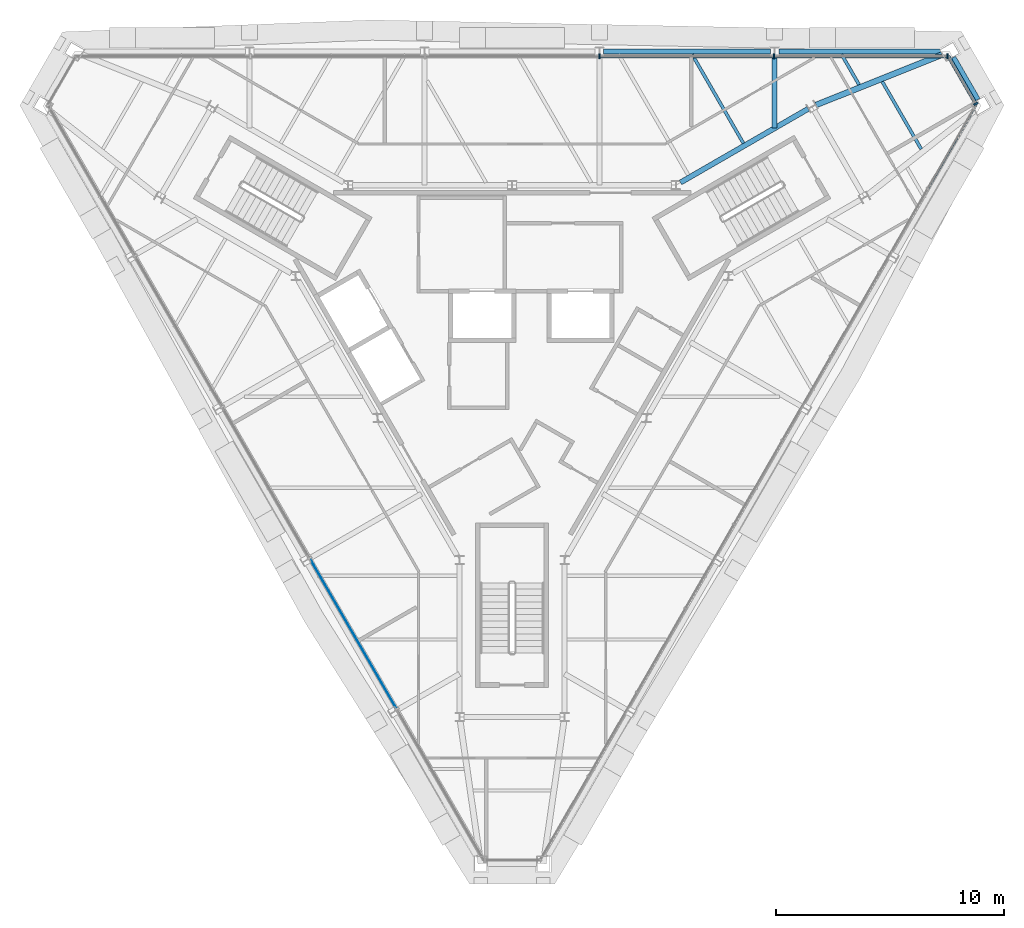
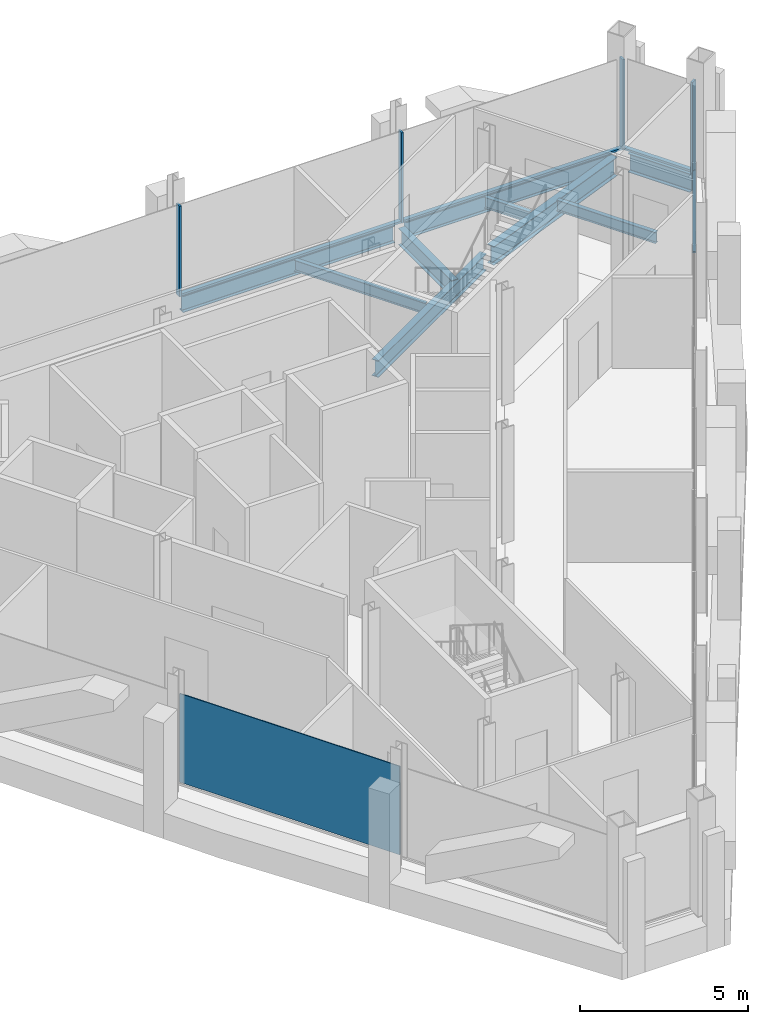
# One storey, part 7 of 13: 9 beams, 8 members, 1 plate, 4 elements without a shape of their own.
"""IFC4 building model written with IfcOpenShell, lengths in metres."""

from ifc_helpers import new_model, si_unit, direction, frame, origin, origin_2d, place, context, subcontext, project, spatial, rectangle, i_section, extrude, material, layer, layer_set, material_profile, profile_set, type_object, element, aggregate, save


model = new_model("IFC4")

# Units and contexts
model_context = context("Model", 3, precision=1e-05, world=origin(), true_north=direction((0.0, 1.0)))
body_context = subcontext(model_context, "Body", "Model", "MODEL_VIEW")
ifc_project = project(units=[si_unit("LENGTHUNIT", "METRE"), si_unit("AREAUNIT", "SQUARE_METRE"), si_unit("VOLUMEUNIT", "CUBIC_METRE"), si_unit("PLANEANGLEUNIT", "RADIAN"), si_unit("MASSUNIT", "GRAM", prefix="KILO")], contexts=[model_context])

# Site, building, storey
site_placement = place(None, origin())
site = spatial("IfcSite", under=ifc_project, at=site_placement, CompositionType="ELEMENT")
building_placement = place(site_placement, origin())
building = spatial("IfcBuilding", under=site, at=building_placement, Name="Verrane Prism Tower", CompositionType="ELEMENT")
storey_placement = place(building_placement, frame((0.0, 0.0, 316.800048828125)))
storey = spatial("IfcBuildingStorey", under=building, at=storey_placement, Name="L80", CompositionType="ELEMENT", Elevation=316.800048828125)

# Beams
ifc_material_1 = material(Name="Steel A992", Category="steel")
ifc_material_profile_1 = material_profile(ifc_material_1, i_section(OverallWidth=0.25390625, OverallDepth=0.683349609375, WebThickness=0.012451171875, FlangeThickness=0.01904296875, FilletRadius=0.01513671875, at=origin_2d()), Name="W27x94")
ifc_profile_set_1 = profile_set([ifc_material_profile_1], Name="Steel A992")
beam_type_1 = type_object("IfcBeamType", Name="Chamfer spandrel beam W27x94", PredefinedType="SPANDREL", material=ifc_profile_set_1)
beam_1_placement = place(storey_placement, frame((20.389892578125, 10.539794921875, -0.501708984375), z_axis=(-0.500486898547, 0.865744110221, 0.0), x_axis=(-0.865744110221, -0.500486898547, 0.0)))
element("IfcBeam", 1, at=beam_1_placement, inside=storey, type_object=beam_type_1, Name="Chamfer spandrel beam L80", PredefinedType="SPANDREL", context=body_context, shape_type="SweptSolid", body=[
    extrude(i_section(OverallWidth=0.25390625, OverallDepth=0.683349609375, WebThickness=0.012451171875, FlangeThickness=0.01904296875, FilletRadius=0.01513671875, at=origin_2d()), origin(), (0.0, 0.0, 1.0), 2.137451171875),
])
ifc_material_2 = material(Name="Steel A992", Category="steel")
ifc_material_profile_2 = material_profile(ifc_material_2, i_section(OverallWidth=0.228271484375, OverallDepth=0.607177734375, WebThickness=0.01123046875, FlangeThickness=0.017333984375, FilletRadius=0.0126953125, at=origin_2d()), Name="W24x76")
ifc_profile_set_2 = profile_set([ifc_material_profile_2], Name="Steel A992")
beam_type_2 = type_object("IfcBeamType", Name="Core ring girder W24x76", PredefinedType="BEAM", material=ifc_profile_set_2)
beam_2_placement = place(storey_placement, frame((12.972900390625, 10.1435546875, -0.553466796875), z_axis=(-0.866085504117, -0.499895888719, 0.0), x_axis=(0.499895888719, -0.866085504117, 0.0)))
element("IfcBeam", 2, at=beam_2_placement, inside=storey, type_object=beam_type_2, Name="Core ring girder L80", PredefinedType="BEAM", context=body_context, shape_type="SweptSolid", body=[
    extrude(i_section(OverallWidth=0.228271484375, OverallDepth=0.607177734375, WebThickness=0.01123046875, FlangeThickness=0.017333984375, FilletRadius=0.0126953125, at=origin_2d()), origin(), (0.0, 0.0, 1.0), 6.45849609375),
])
ifc_material_3 = material(Name="Steel A992", Category="steel")
ifc_material_profile_3 = material_profile(ifc_material_3, i_section(OverallWidth=0.25390625, OverallDepth=0.683349609375, WebThickness=0.012451171875, FlangeThickness=0.01904296875, FilletRadius=0.01513671875, at=origin_2d()), Name="W27x94")
ifc_profile_set_3 = profile_set([ifc_material_profile_3], Name="Steel A992")
beam_type_3 = type_object("IfcBeamType", Name="Corner girder W27x94", PredefinedType="BEAM", material=ifc_profile_set_3)
beam_3_placement = place(storey_placement, frame((18.841552734375, 12.518798828125, -0.561767578125), z_axis=(-0.928587103525, -0.371114525675, 0.0), x_axis=(0.371114525675, -0.928587103525, 0.0)))
element("IfcBeam", 3, at=beam_3_placement, inside=storey, type_object=beam_type_3, Name="Corner girder L80", PredefinedType="BEAM", context=body_context, shape_type="SweptSolid", body=[
    extrude(i_section(OverallWidth=0.25390625, OverallDepth=0.683349609375, WebThickness=0.012451171875, FlangeThickness=0.01904296875, FilletRadius=0.01513671875, at=origin_2d()), origin(), (0.0, 0.0, 1.0), 5.945068359375),
])
ifc_material_4 = material(Name="Steel A992", Category="steel")
ifc_material_profile_4 = material_profile(ifc_material_4, i_section(OverallWidth=0.140380859375, OverallDepth=0.40380859375, WebThickness=0.007080078125, FlangeThickness=0.01123046875, FilletRadius=0.01025390625, at=origin_2d()), Name="W16x31")
ifc_profile_set_4 = profile_set([ifc_material_profile_4], Name="Steel A992")
beam_type_4 = type_object("IfcBeamType", Name="Floor beam W16x31", PredefinedType="BEAM", material=ifc_profile_set_4)
beam_4_placement = place(storey_placement, frame((15.201904296875, 11.20068359375, -0.362060546875), z_axis=(-0.50005597947, 0.86599308161, 0.0), x_axis=(-0.86599308161, -0.50005597947, 0.0)))
element("IfcBeam", 4, at=beam_4_placement, inside=storey, type_object=beam_type_4, Name="Floor beam L80", PredefinedType="BEAM", context=body_context, shape_type="SweptSolid", body=[
    extrude(i_section(OverallWidth=0.140380859375, OverallDepth=0.40380859375, WebThickness=0.007080078125, FlangeThickness=0.01123046875, FilletRadius=0.01025390625, at=origin_2d()), origin(), (0.0, 0.0, 1.0), 1.541748046875),
])
beam_5_placement = place(storey_placement, frame((10.135498046875, 8.635009765625, -0.362060546875), z_axis=(-0.500003959331, 0.866023117852, 0.0), x_axis=(-0.866023117852, -0.500003959331, 0.0)))
element("IfcBeam", 5, at=beam_5_placement, inside=storey, type_object=beam_type_4, Name="Floor beam L80", PredefinedType="BEAM", context=body_context, shape_type="SweptSolid", body=[
    extrude(i_section(OverallWidth=0.140380859375, OverallDepth=0.40380859375, WebThickness=0.007080078125, FlangeThickness=0.01123046875, FilletRadius=0.01025390625, at=origin_2d()), origin(), (0.0, 0.0, 1.0), 4.50439453125),
])
beam_6_placement = place(storey_placement, frame((17.925048828125, 8.380615234375, -0.362060546875), z_axis=(-0.500042619005, 0.866000796292, 0.0), x_axis=(-0.866000796292, -0.500042619005, 0.0)))
element("IfcBeam", 6, at=beam_6_placement, inside=storey, type_object=beam_type_4, Name="Floor beam L80", PredefinedType="BEAM", context=body_context, shape_type="SweptSolid", body=[
    extrude(i_section(OverallWidth=0.140380859375, OverallDepth=0.40380859375, WebThickness=0.007080078125, FlangeThickness=0.01123046875, FilletRadius=0.01025390625, at=origin_2d()), origin(), (0.0, 0.0, 1.0), 3.410400390625),
])

# Curtain wall, member
ifc_material_5 = material(Name="Aluminium framed insulated glazing", Category="aluminium")
curtain_wall_type_1 = type_object("IfcCurtainWallType", Name="Curtain wall CW-A 8400 module", PredefinedType="NOTDEFINED", material=ifc_material_5)
curtain_wall_1_placement = place(storey_placement, origin())
curtain_wall_1 = element("IfcCurtainWall", 7, at=curtain_wall_1_placement, inside=storey, type_object=curtain_wall_type_1, Name="Glazed curtain wall north-east corner L80", PredefinedType="NOTDEFINED")
ifc_material_6 = material(Name="Aluminium alloy 6063-T6", Category="aluminium")
ifc_material_profile_5 = material_profile(ifc_material_6, rectangle(XDim=0.199951171875, YDim=0.070068359375, at=origin_2d()), Name="Mullion 70x200 aluminium")
ifc_profile_set_5 = profile_set([ifc_material_profile_5], Name="Aluminium alloy 6063-T6")
member_type_1 = type_object("IfcMemberType", Name="Mullion 70x200 aluminium", PredefinedType="MULLION", material=ifc_profile_set_5)
member_1_placement = place(storey_placement, frame((20.319091796875, 10.35986328125, 0.0), z_axis=(0.0, 0.0, 1.0), x_axis=(-0.866024860131, -0.500000941634, 0.0)))
member_1 = element("IfcMember", 8, at=member_1_placement, type_object=member_type_1, Name="CW80.1 mullion 1", PredefinedType="MULLION", context=body_context, shape_type="SweptSolid", body=[
    extrude(rectangle(XDim=0.199951171875, YDim=0.070068359375, at=origin_2d()), origin(), (0.0, 0.0, 1.0), 3.296630859375),
])

# Curtain wall, members
curtain_wall_2_placement = place(storey_placement, origin())
curtain_wall_2 = element("IfcCurtainWall", 9, at=curtain_wall_2_placement, inside=storey, type_object=curtain_wall_type_1, Name="Glazed curtain wall north face L80", PredefinedType="NOTDEFINED")
member_2_placement = place(storey_placement, frame((19.0791015625, 12.447265625, 0.0), z_axis=(0.0, 0.0, 1.0), x_axis=(0.0, -1.0, 0.0)))
member_2 = element("IfcMember", 10, at=member_2_placement, type_object=member_type_1, Name="CW80.2 mullion 1", PredefinedType="MULLION", context=body_context, shape_type="SweptSolid", body=[
    extrude(rectangle(XDim=0.199951171875, YDim=0.070068359375, at=origin_2d()), origin(), (0.0, 0.0, 1.0), 3.296630859375),
])
member_3_placement = place(storey_placement, frame((11.468505859375, 12.447265625, 0.0), z_axis=(0.0, 0.0, 1.0), x_axis=(0.0, -1.0, 0.0)))
member_3 = element("IfcMember", 11, at=member_3_placement, type_object=member_type_1, Name="CW80.2 mullion 2", PredefinedType="MULLION", context=body_context, shape_type="SweptSolid", body=[
    extrude(rectangle(XDim=0.199951171875, YDim=0.070068359375, at=origin_2d()), origin(), (0.0, 0.0, 1.0), 3.296630859375),
])
member_4_placement = place(storey_placement, frame((3.82275390625, 12.447265625, 0.0), z_axis=(0.0, 0.0, 1.0), x_axis=(0.0, -1.0, 0.0)))
member_4 = element("IfcMember", 12, at=member_4_placement, type_object=member_type_1, Name="CW80.2 mullion 3", PredefinedType="MULLION", context=body_context, shape_type="SweptSolid", body=[
    extrude(rectangle(XDim=0.199951171875, YDim=0.070068359375, at=origin_2d()), origin(), (0.0, 0.0, 1.0), 3.296630859375),
])

# Beams
ifc_material_7 = material(Name="Steel A992", Category="steel")
ifc_material_profile_6 = material_profile(ifc_material_7, i_section(OverallWidth=0.228271484375, OverallDepth=0.607177734375, WebThickness=0.01123046875, FlangeThickness=0.017333984375, FilletRadius=0.0126953125, at=origin_2d()), Name="W24x76")
ifc_profile_set_6 = profile_set([ifc_material_profile_6], Name="Steel A992")
beam_type_5 = type_object("IfcBeamType", Name="Radial girder W24x76", PredefinedType="BEAM", material=ifc_profile_set_6)
beam_7_placement = place(storey_placement, frame((11.5, 12.4658203125, -0.5234375), z_axis=(0.0, -1.0, 0.0), x_axis=(1.0, 0.0, 0.0)))
element("IfcBeam", 13, at=beam_7_placement, inside=storey, type_object=beam_type_5, Name="Radial girder L80", PredefinedType="BEAM", context=body_context, shape_type="SweptSolid", body=[
    extrude(i_section(OverallWidth=0.228271484375, OverallDepth=0.607177734375, WebThickness=0.01123046875, FlangeThickness=0.017333984375, FilletRadius=0.0126953125, at=origin_2d()), origin(), (0.0, 0.0, 1.0), 3.17236328125),
])
ifc_material_8 = material(Name="Steel A992", Category="steel")
ifc_material_profile_7 = material_profile(ifc_material_8, i_section(OverallWidth=0.228271484375, OverallDepth=0.607177734375, WebThickness=0.01123046875, FlangeThickness=0.017333984375, FilletRadius=0.0126953125, at=origin_2d()), Name="W24x76")
ifc_profile_set_7 = profile_set([ifc_material_profile_7], Name="Steel A992")
beam_type_6 = type_object("IfcBeamType", Name="Spandrel beam W24x76", PredefinedType="SPANDREL", material=ifc_profile_set_7)
beam_8_placement = place(storey_placement, frame((18.765869140625, 12.64990234375, -0.463623046875), z_axis=(-1.0, 0.0, 0.0), x_axis=(0.0, -1.0, 0.0)))
element("IfcBeam", 14, at=beam_8_placement, inside=storey, type_object=beam_type_6, Name="Spandrel beam L80", PredefinedType="SPANDREL", context=body_context, shape_type="SweptSolid", body=[
    extrude(i_section(OverallWidth=0.228271484375, OverallDepth=0.607177734375, WebThickness=0.01123046875, FlangeThickness=0.017333984375, FilletRadius=0.0126953125, at=origin_2d()), origin(), (0.0, 0.0, 1.0), 7.0791015625),
])
beam_9_placement = place(storey_placement, frame((11.313232421875, 12.64990234375, -0.463623046875), z_axis=(-1.0, 0.0, 0.0), x_axis=(0.0, -1.0, 0.0)))
element("IfcBeam", 15, at=beam_9_placement, inside=storey, type_object=beam_type_6, Name="Spandrel beam L80", PredefinedType="SPANDREL", context=body_context, shape_type="SweptSolid", body=[
    extrude(i_section(OverallWidth=0.228271484375, OverallDepth=0.607177734375, WebThickness=0.01123046875, FlangeThickness=0.017333984375, FilletRadius=0.0126953125, at=origin_2d()), origin(), (0.0, 0.0, 1.0), 7.296630859375),
])

# Curtain wall, member
ifc_material_9 = material(Name="Aluminium framed insulated glazing", Category="aluminium")
curtain_wall_type_2 = type_object("IfcCurtainWallType", Name="Curtain wall CW-C 4200 module", PredefinedType="NOTDEFINED", material=ifc_material_9)
curtain_wall_3_placement = place(storey_placement, origin())
curtain_wall_3 = element("IfcCurtainWall", 16, at=curtain_wall_3_placement, inside=storey, type_object=curtain_wall_type_2, Name="Glazed curtain wall south-east face L80", PredefinedType="NOTDEFINED")
ifc_material_10 = material(Name="Aluminium alloy 6063-T6", Category="aluminium")
ifc_material_profile_8 = material_profile(ifc_material_10, rectangle(XDim=0.10009765625, YDim=0.050048828125, at=origin_2d()), Name="Transom 50x100 aluminium")
ifc_profile_set_8 = profile_set([ifc_material_profile_8], Name="Aluminium alloy 6063-T6")
member_type_2 = type_object("IfcMemberType", Name="Transom 50x100 aluminium", PredefinedType="USERDEFINED", material=ifc_profile_set_8)
member_5_placement = place(storey_placement, frame((18.225341796875, 6.6728515625, 0.02490234375), z_axis=(0.500019412692, 0.866014195571, 0.0), x_axis=(-0.866014195571, 0.500019412692, 0.0)))
member_5 = element("IfcMember", 17, at=member_5_placement, type_object=member_type_2, Name="CW80.6 transom 9", ObjectType="TRANSOM", PredefinedType="USERDEFINED", context=body_context, shape_type="SweptSolid", body=[
    extrude(rectangle(XDim=0.10009765625, YDim=0.050048828125, at=origin_2d()), origin(), (0.0, 0.0, 1.0), 4.222412109375),
])
aggregate(curtain_wall_3, [member_5])

# Member
ifc_material_11 = material(Name="Aluminium alloy 6063-T6", Category="aluminium")
ifc_material_profile_9 = material_profile(ifc_material_11, rectangle(XDim=0.14990234375, YDim=0.070068359375, at=origin_2d()), Name="Transom 70x150 aluminium")
ifc_profile_set_9 = profile_set([ifc_material_profile_9], Name="Aluminium alloy 6063-T6")
member_type_3 = type_object("IfcMemberType", Name="Transom 70x150 aluminium", PredefinedType="USERDEFINED", material=ifc_profile_set_9)
member_6_placement = place(storey_placement, frame((20.301513671875, 10.39013671875, 0.034912109375), z_axis=(-0.499941923165, 0.866058931864, 0.0), x_axis=(-0.866058931864, -0.499941923165, 0.0)))
member_6 = element("IfcMember", 18, at=member_6_placement, type_object=member_type_3, Name="CW80.1 transom 1", ObjectType="TRANSOM", PredefinedType="USERDEFINED", context=body_context, shape_type="SweptSolid", body=[
    extrude(rectangle(XDim=0.14990234375, YDim=0.070068359375, at=origin_2d()), origin(), (0.0, 0.0, 1.0), 2.375244140625),
])

aggregate(curtain_wall_1, [member_1, member_6])

member_7_placement = place(storey_placement, frame((19.0439453125, 12.447265625, 0.034912109375), z_axis=(-1.0, 0.0, 0.0), x_axis=(0.0, -1.0, 0.0)))
member_7 = element("IfcMember", 19, at=member_7_placement, type_object=member_type_3, Name="CW80.2 transom 1", ObjectType="TRANSOM", PredefinedType="USERDEFINED", context=body_context, shape_type="SweptSolid", body=[
    extrude(rectangle(XDim=0.14990234375, YDim=0.070068359375, at=origin_2d()), origin(), (0.0, 0.0, 1.0), 7.54052734375),
])

member_8_placement = place(storey_placement, frame((11.433349609375, 12.447265625, 0.034912109375), z_axis=(-1.0, 0.0, 0.0), x_axis=(0.0, -1.0, 0.0)))
member_8 = element("IfcMember", 20, at=member_8_placement, type_object=member_type_3, Name="CW80.2 transom 2", ObjectType="TRANSOM", PredefinedType="USERDEFINED", context=body_context, shape_type="SweptSolid", body=[
    extrude(rectangle(XDim=0.14990234375, YDim=0.070068359375, at=origin_2d()), origin(), (0.0, 0.0, 1.0), 7.575439453125),
])

aggregate(curtain_wall_2, [member_2, member_3, member_4, member_7, member_8])

# Curtain wall, plate
curtain_wall_4_placement = place(storey_placement, origin())
curtain_wall_4 = element("IfcCurtainWall", 21, at=curtain_wall_4_placement, inside=storey, type_object=curtain_wall_type_1, Name="Glazed curtain wall south-west face L80", PredefinedType="NOTDEFINED")
ifc_material_12 = material(Name="Low-iron insulating glass unit", Category="glass")
ifc_layer = layer(ifc_material_12, 0.031982421875)
ifc_layer_set = layer_set([ifc_layer], Name="Glazing panel IGU 32")
plate_type = type_object("IfcPlateType", Name="Glazing panel IGU 32", PredefinedType="CURTAIN_PANEL", material=ifc_layer_set)
plate_placement = place(storey_placement, frame((-6.956787109375, -12.844970703125, 0.06982421875), z_axis=(0.0, 0.0, 1.0), x_axis=(0.500000216749, -0.866025278644, 0.0)))
plate = element("IfcPlate", 22, at=plate_placement, type_object=plate_type, Name="CW80.4 panel 4", PredefinedType="CURTAIN_PANEL", context=body_context, shape_type="SweptSolid", body=[
    extrude(rectangle(XDim=7.57568359375, YDim=0.031982421875, at=origin_2d()), origin(), (0.0, 0.0, 1.0), 3.226806640625),
])
aggregate(curtain_wall_4, [plate])

save(model, "model.ifc")
